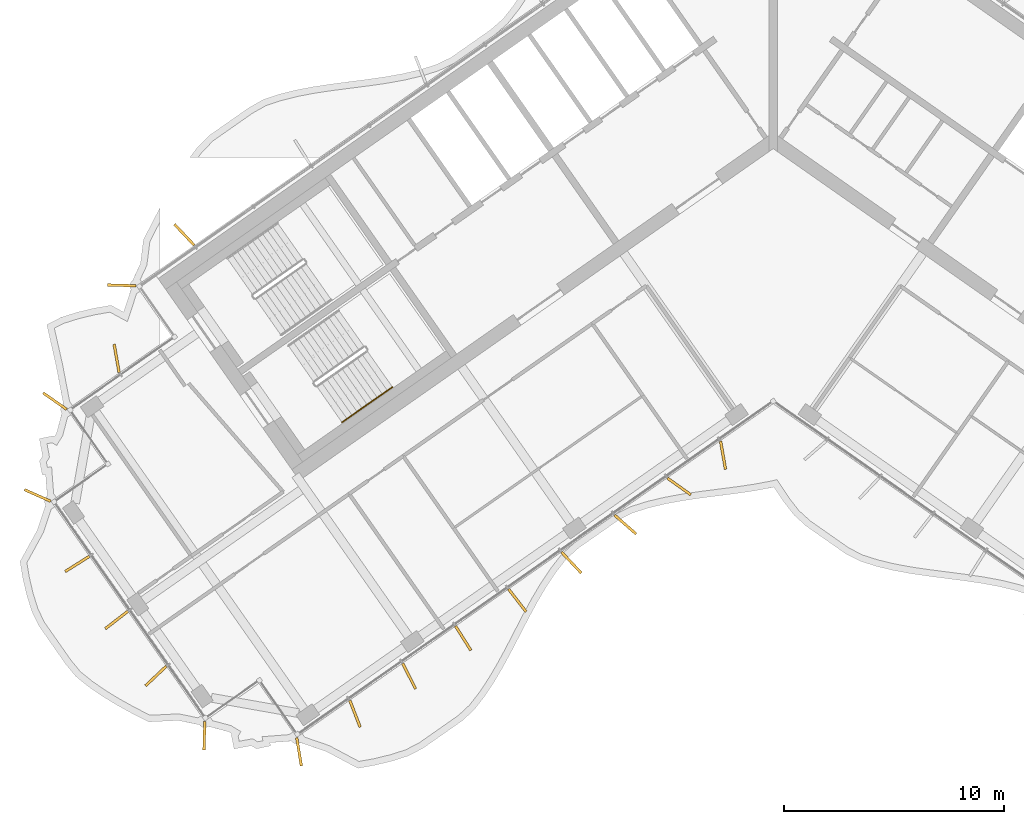
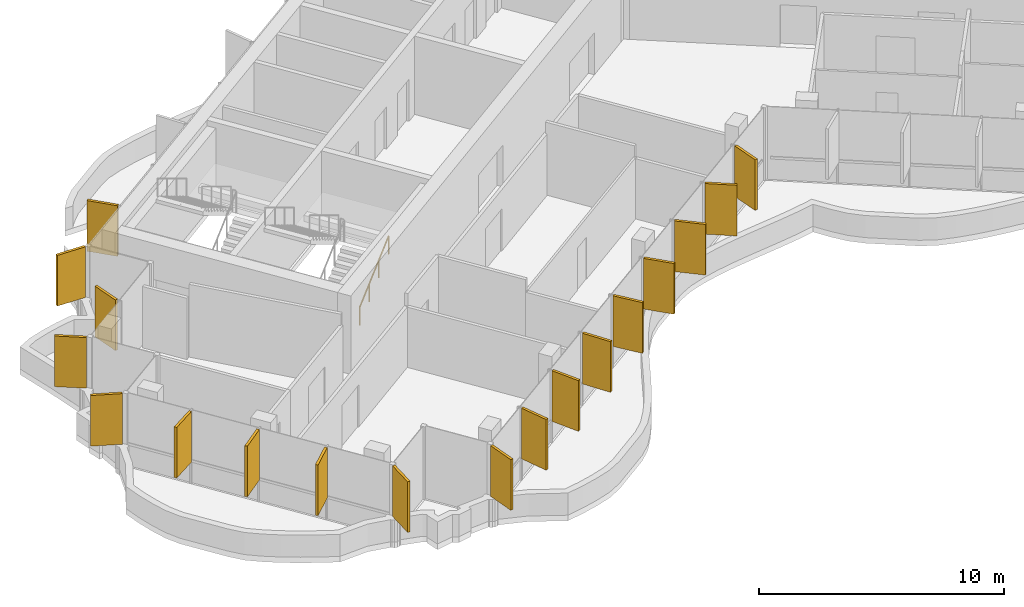
# One storey, part 16 of 20: 18 shading devices, 1 railing.
"""IFC4 building model written with IfcOpenShell, lengths in metres."""

from ifc_helpers import new_model, si_unit, direction, frame, origin, origin_2d, place, context, subcontext, project, spatial, rectangle, circle, extrude, material, layer, layer_set, type_object, element, save


model = new_model("IFC4")

# Units and contexts
model_context = context("Model", 3, precision=1e-05, world=origin(), true_north=direction((0.0, 1.0)))
body_context = subcontext(model_context, "Body", "Model", "MODEL_VIEW")
ifc_project = project(units=[si_unit("LENGTHUNIT", "METRE"), si_unit("AREAUNIT", "SQUARE_METRE"), si_unit("VOLUMEUNIT", "CUBIC_METRE"), si_unit("PLANEANGLEUNIT", "RADIAN"), si_unit("MASSUNIT", "GRAM", prefix="KILO")], contexts=[model_context])

# Site, building, storey
site_placement = place(None, origin())
site = spatial("IfcSite", under=ifc_project, at=site_placement, CompositionType="ELEMENT")
building_placement = place(site_placement, origin())
building = spatial("IfcBuilding", under=site, at=building_placement, Name="Tel Ilan Convention Tower", CompositionType="ELEMENT")
storey_placement = place(building_placement, frame((0.0, 0.0, 244.89990234375)))
storey = spatial("IfcBuildingStorey", under=building, at=storey_placement, Name="L57", CompositionType="ELEMENT", Elevation=244.89990234375)

# Shading devices
ifc_material_1 = material(Name="Aluminium, bronze anodised", Category="aluminium")
ifc_layer = layer(ifc_material_1, 0.1201171875)
ifc_layer_set = layer_set([ifc_layer], Name="FIN BRONZE 1300x120")
shading_device_type = type_object("IfcShadingDeviceType", Name="FIN BRONZE 1300x120", PredefinedType="USERDEFINED", material=ifc_layer_set)
for number, where, z_axis, x_axis, name in (
    (1, (-26.77685546875, -5.13623046875, 1.10009765625), (0.0, 0.0, 1.0), (-0.686241637865, 0.727373641577, 0.0), "FIN"),
    (2, (-29.61669921875, -7.438720703125, 1.10009765625), (0.0, 0.0, 1.0), (-0.999576950082, 0.029084718749, 0.0), "FIN"),
    (3, (-29.85546875, -10.755615234375, 1.10009765625), (0.0, 0.0, 1.0), (-0.173648177667, 0.984807753012, 0.0), "FIN"),
    (4, (-32.660888671875, -12.702392578125, 1.10009765625), (0.0, 0.0, 1.0), (-0.819152044289, 0.573576436351, 0.0), "FIN"),
    (5, (-33.44873046875, -16.991943359375, 1.10009765625), (0.0, 0.0, 1.0), (-0.914332505315, 0.404964282034, 0.0), "FIN"),
    (6, (-31.64306640625, -20.10400390625, 1.10009765625), (0.0, 0.0, 1.0), (-0.845986425922, -0.533204432798, 0.0), "FIN"),
    (7, (-29.857421875, -22.654052734375, 1.10009765625), (0.0, 0.0, 1.0), (-0.790392669516, -0.612600545196, 0.0), "FIN"),
    (8, (-28.07177734375, -25.20361328125, 1.10009765625), (0.0, 0.0, 1.0), (-0.727373641577, -0.686241637865, 0.0), "FIN"),
    (9, (-25.86328125, -27.908935546875, 1.10009765625), (0.0, 0.0, 1.0), (-0.029084718749, -0.999576950082, 0.0), "FIN"),
    (10, (-21.5615234375, -28.6484375, 1.10009765625), (0.0, 0.0, 1.0), (0.16409119891, -0.986445172547, 0.0), "FIN"),
    (11, (-19.015380859375, -26.920166015625, 1.10009765625), (0.0, 0.0, 1.0), (0.360177724803, -0.932883704733, 0.0), "FIN"),
    (12, (-16.553955078125, -25.20458984375, 1.10009765625), (0.0, 0.0, 1.0), (0.448799180206, -0.893632640321, 0.0), "FIN"),
    (13, (-14.09521484375, -23.483154296875, 1.10009765625), (0.0, 0.0, 1.0), (0.533204432798, -0.845986425922, 0.0), "FIN"),
    (14, (-11.636474609375, -21.761474609375, 1.10009765625), (0.0, 0.0, 1.0), (0.612600545196, -0.790392669516, 0.0), "FIN"),
    (15, (-9.177978515625, -20.039794921875, 1.10009765625), (0.0, 0.0, 1.0), (0.686241637865, -0.727373641577, 0.0), "FIN"),
    (16, (-6.723876953125, -18.3134765625, 1.10009765625), (0.0, 0.0, 1.0), (0.753435896329, -0.657521368568, 0.0), "FIN"),
    (17, (-4.2744140625, -16.583251953125, 1.10009765625), (0.0, 0.0, 1.0), (0.813552070258, -0.581492071294, 0.0), "FIN"),
    (18, (-2.280029296875, -15.1640625, 1.10009765625), (0.0, 0.0, 1.0), (0.173648177667, -0.984807753012, 0.0), "FIN"),
):
    element("IfcShadingDevice", number, at=place(storey_placement, frame(where, z_axis=z_axis, x_axis=x_axis)), inside=storey, type_object=shading_device_type, Name=name, ObjectType="FIN", PredefinedType="USERDEFINED", context=body_context, shape_type="SweptSolid", body=[
        extrude(rectangle(XDim=1.300048828125, YDim=0.1201171875, at=origin_2d()), origin(), (0.0, 0.0, 1.0), 2.52001953125),
    ])

# Railing
ifc_material_2 = material(Name="Stainless Steel Grade 316", Category="steel")
railing_type = type_object("IfcRailingType", Name="Stainless Steel Stair Handrail 900 mm", PredefinedType="HANDRAIL", material=ifc_material_2)
railing_placement = place(storey_placement, frame((-19.6064453125, -13.66748046875, 0.177490234375)))
element("IfcRailing", 19, at=railing_placement, inside=storey, type_object=railing_type, Name="L57 S2 stair handrail 1", PredefinedType="HANDRAIL", context=body_context, shape_type="SweptSolid", body=[
    extrude(circle(Radius=0.02392578125, at=origin_2d()), frame((0.0, 0.0, 0.8759765625), z_axis=(0.692123088272, 0.484596665743, 0.534912798717), x_axis=(-0.573550118428, 0.819170471667, 0.0)), (0.0, 0.0, 1.0), 3.31396484375),
    extrude(circle(Radius=0.02099609375, at=origin_2d()), origin(), (0.0, 0.0, 1.0), 0.851806640625),
    extrude(circle(Radius=0.02099609375, at=origin_2d()), frame((0.7646484375, 0.535400390625, 0.5908203125)), (0.0, 0.0, 1.0), 0.851806640625),
    extrude(circle(Radius=0.02099609375, at=origin_2d()), frame((1.529052734375, 1.070556640625, 1.181884765625)), (0.0, 0.0, 1.0), 0.851806640625),
    extrude(circle(Radius=0.02099609375, at=origin_2d()), frame((2.293701171875, 1.60595703125, 1.772705078125)), (0.0, 0.0, 1.0), 0.851806640625),
])

save(model, "model.ifc")
